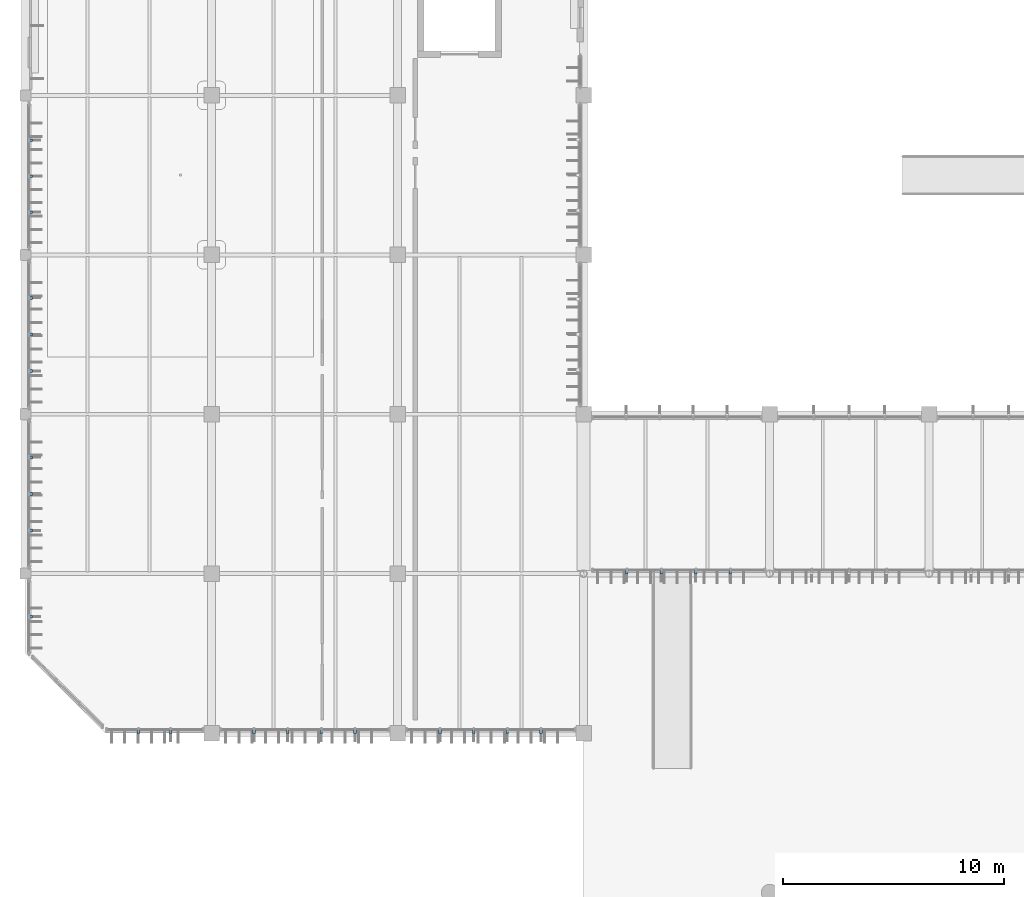
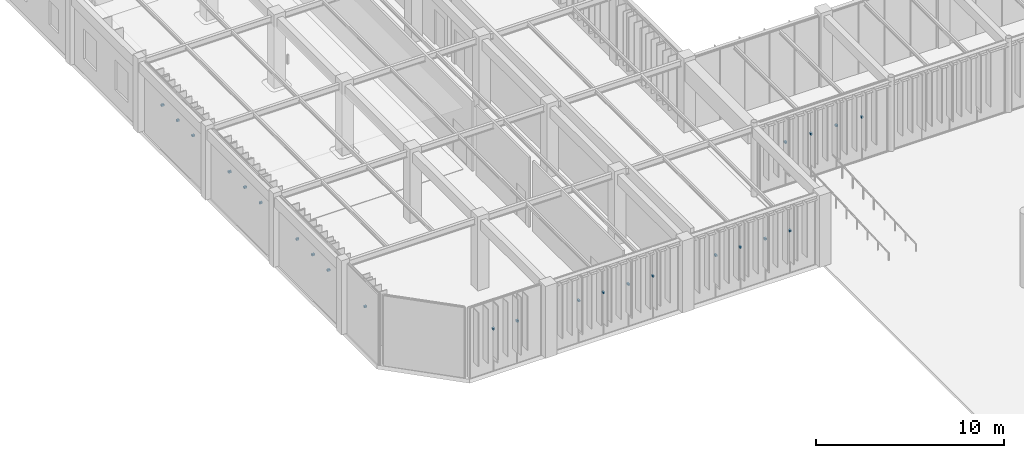
# One storey, part 44 of 122: 24 discrete accessories.
"""IFC4 building model written with IfcOpenShell, lengths in metres."""

from ifc_helpers import new_model, si_unit, direction, frame, origin, origin_2d, place, context, subcontext, project, spatial, rectangle, extrude, material, type_object, element, save


model = new_model("IFC4")

# Units and contexts
model_context = context("Model", 3, precision=1e-05, world=origin(), true_north=direction((0.0, 1.0)))
body_context = subcontext(model_context, "Body", "Model", "MODEL_VIEW")
ifc_project = project(units=[si_unit("LENGTHUNIT", "METRE"), si_unit("AREAUNIT", "SQUARE_METRE"), si_unit("VOLUMEUNIT", "CUBIC_METRE"), si_unit("PLANEANGLEUNIT", "RADIAN"), si_unit("MASSUNIT", "GRAM", prefix="KILO")], contexts=[model_context])

# Site, building, storey
site_placement = place(None, origin())
site = spatial("IfcSite", under=ifc_project, at=site_placement, CompositionType="ELEMENT")
building_placement = place(site_placement, origin())
building = spatial("IfcBuilding", under=site, at=building_placement, Name="Tazoul Stagehouse", CompositionType="ELEMENT")
storey_placement = place(building_placement, origin())
storey = spatial("IfcBuildingStorey", under=building, at=storey_placement, Name="L00", CompositionType="ELEMENT", Elevation=0.0)

# Discrete accessories
ifc_material = material(Name="Austenitic Stainless Steel EN 1.4401", Category="steel")
discrete_accessory_type = type_object("IfcDiscreteAccessoryType", Name="Stainless Steel Louvre Support Cleat Bracket", PredefinedType="BRACKET", material=ifc_material)
for number, where, z_axis, x_axis, name in (
    (1, (7.5, 37.469970703125, 2.66064453125), (0.0, 0.0, 1.0), (1.0, 0.0, 0.0), "Cleat Bracket BRK-01 CW-V6-S-L00-B1-BRK01"),
    (2, (8.949951171875, 37.469970703125, 2.66064453125), (0.0, 0.0, 1.0), (1.0, 0.0, 0.0), "Cleat Bracket BRK-01 CW-V6-S-L00-B1-BRK02"),
    (3, (12.719970703125, 37.469970703125, 2.66064453125), (0.0, 0.0, 1.0), (1.0, 0.0, 0.0), "Cleat Bracket BRK-01 CW-V6-S-L00-B2-BRK01"),
    (4, (14.239990234375, 37.469970703125, 2.66064453125), (0.0, 0.0, 1.0), (1.0, 0.0, 0.0), "Cleat Bracket BRK-01 CW-V6-S-L00-B2-BRK02"),
    (5, (15.760009765625, 37.469970703125, 2.66064453125), (0.0, 0.0, 1.0), (1.0, 0.0, 0.0), "Cleat Bracket BRK-01 CW-V6-S-L00-B2-BRK03"),
    (6, (17.280029296875, 37.469970703125, 2.66064453125), (0.0, 0.0, 1.0), (1.0, 0.0, 0.0), "Cleat Bracket BRK-01 CW-V6-S-L00-B2-BRK04"),
    (7, (21.1201171875, 37.469970703125, 2.66064453125), (0.0, 0.0, 1.0), (1.0, 0.0, 0.0), "Cleat Bracket BRK-01 CW-V6-S-L00-B3-BRK01"),
    (8, (22.639892578125, 37.469970703125, 2.66064453125), (0.0, 0.0, 1.0), (1.0, 0.0, 0.0), "Cleat Bracket BRK-01 CW-V6-S-L00-B3-BRK02"),
    (9, (24.159912109375, 37.469970703125, 2.66064453125), (0.0, 0.0, 1.0), (1.0, 0.0, 0.0), "Cleat Bracket BRK-01 CW-V6-S-L00-B3-BRK03"),
    (10, (25.679931640625, 37.469970703125, 2.66064453125), (0.0, 0.0, 1.0), (1.0, 0.0, 0.0), "Cleat Bracket BRK-01 CW-V6-S-L00-B3-BRK04"),
    (11, (2.6298828125, 42.64990234375, 2.66064453125), (0.0, 0.0, 1.0), (0.0, 1.0, 0.0), "Cleat Bracket BRK-01 CW-V6-W1-L00-B1-BRK01"),
    (12, (2.6298828125, 46.550048828125, 2.66064453125), (0.0, 0.0, 1.0), (0.0, 1.0, 0.0), "Cleat Bracket BRK-01 CW-V6-W1-L00-B2-BRK01"),
    (13, (2.6298828125, 48.199951171875, 2.66064453125), (0.0, 0.0, 1.0), (0.0, 1.0, 0.0), "Cleat Bracket BRK-01 CW-V6-W1-L00-B2-BRK02"),
    (14, (2.6298828125, 49.85009765625, 2.66064453125), (0.0, 0.0, 1.0), (0.0, 1.0, 0.0), "Cleat Bracket BRK-01 CW-V6-W1-L00-B2-BRK03"),
    (15, (2.6298828125, 53.75, 2.66064453125), (0.0, 0.0, 1.0), (0.0, 1.0, 0.0), "Cleat Bracket BRK-01 CW-V6-W1-L00-B3-BRK01"),
    (16, (2.6298828125, 55.39990234375, 2.66064453125), (0.0, 0.0, 1.0), (0.0, 1.0, 0.0), "Cleat Bracket BRK-01 CW-V6-W1-L00-B3-BRK02"),
    (17, (2.6298828125, 57.050048828125, 2.66064453125), (0.0, 0.0, 1.0), (0.0, 1.0, 0.0), "Cleat Bracket BRK-01 CW-V6-W1-L00-B3-BRK03"),
    (18, (2.6298828125, 60.925048828125, 2.66064453125), (0.0, 0.0, 1.0), (0.0, 1.0, 0.0), "Cleat Bracket BRK-01 CW-V6-W1-L00-B4-BRK01"),
    (19, (2.6298828125, 62.550048828125, 2.66064453125), (0.0, 0.0, 1.0), (0.0, 1.0, 0.0), "Cleat Bracket BRK-01 CW-V6-W1-L00-B4-BRK02"),
    (20, (2.6298828125, 64.175048828125, 2.66064453125), (0.0, 0.0, 1.0), (0.0, 1.0, 0.0), "Cleat Bracket BRK-01 CW-V6-W1-L00-B4-BRK03"),
    (21, (29.5576171875, 44.669921875, 2.66064453125), (0.0, 0.0, 1.0), (1.0, 0.0, 0.0), "Cleat Bracket BRK-01 CW-WLNK-S-L00-B1-BRK01"),
    (22, (31.115234375, 44.669921875, 2.66064453125), (0.0, 0.0, 1.0), (1.0, 0.0, 0.0), "Cleat Bracket BRK-01 CW-WLNK-S-L00-B1-BRK02"),
    (23, (32.6728515625, 44.669921875, 2.66064453125), (0.0, 0.0, 1.0), (1.0, 0.0, 0.0), "Cleat Bracket BRK-01 CW-WLNK-S-L00-B1-BRK03"),
    (24, (34.23046875, 44.669921875, 2.66064453125), (0.0, 0.0, 1.0), (1.0, 0.0, 0.0), "Cleat Bracket BRK-01 CW-WLNK-S-L00-B1-BRK04"),
):
    element("IfcDiscreteAccessory", number, at=place(storey_placement, frame(where, z_axis=z_axis, x_axis=x_axis)), inside=storey, type_object=discrete_accessory_type, Name=name, PredefinedType="BRACKET", context=body_context, shape_type="SweptSolid", body=[
        extrude(rectangle(XDim=0.1201171875, YDim=0.159912109375, at=origin_2d()), origin(), (0.0, 0.0, 1.0), 0.1201171875),
    ])

save(model, "model.ifc")
